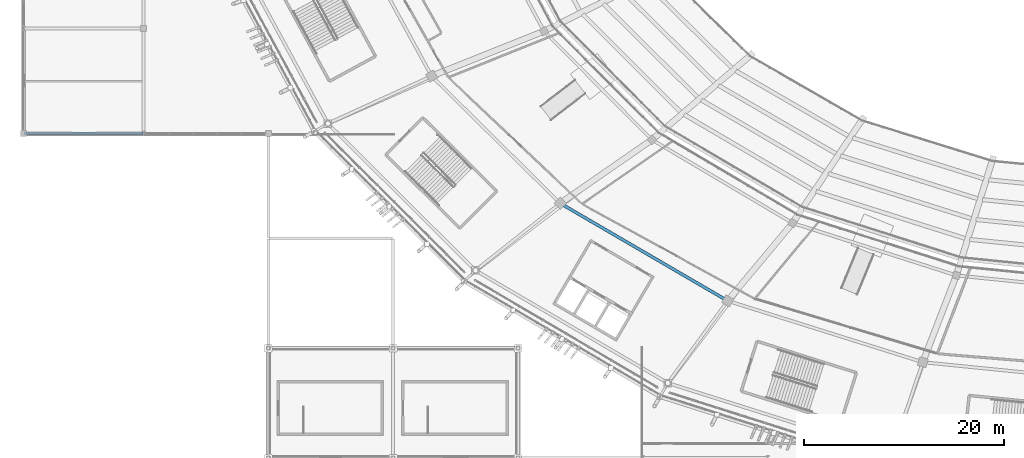
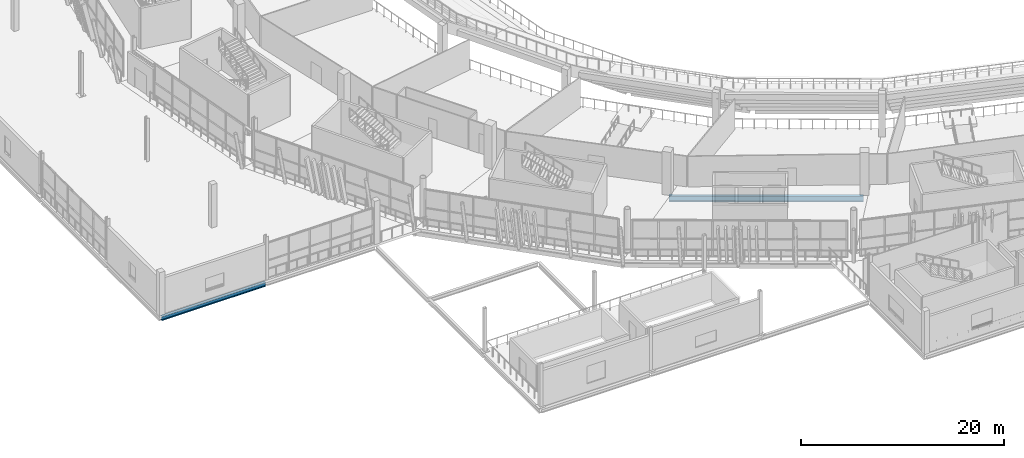
# One storey, part 26 of 178: 2 beams.
"""IFC4 building model written with IfcOpenShell, lengths in metres."""

from ifc_helpers import new_model, si_unit, direction, frame, origin, origin_2d, place, context, subcontext, project, spatial, i_section, extrude, material, material_profile, profile_set, type_object, element, save


model = new_model("IFC4")

# Units and contexts
model_context = context("Model", 3, precision=1e-05, world=origin(), true_north=direction((0.0, 1.0)))
body_context = subcontext(model_context, "Body", "Model", "MODEL_VIEW")
ifc_project = project(units=[si_unit("LENGTHUNIT", "METRE"), si_unit("AREAUNIT", "SQUARE_METRE"), si_unit("VOLUMEUNIT", "CUBIC_METRE"), si_unit("PLANEANGLEUNIT", "RADIAN"), si_unit("MASSUNIT", "GRAM", prefix="KILO")], contexts=[model_context])

# Site, building, storey
site_placement = place(None, origin())
site = spatial("IfcSite", under=ifc_project, at=site_placement, CompositionType="ELEMENT")
building_placement = place(site_placement, origin())
building = spatial("IfcBuilding", under=site, at=building_placement, Name="Zlatoyarsky Gate Stadium", CompositionType="ELEMENT")
storey_placement = place(building_placement, frame((0.0, 0.0, 5.39990234375)))
storey = spatial("IfcBuildingStorey", under=building, at=storey_placement, Name="L01", CompositionType="ELEMENT", Elevation=5.39990234375)

# Beams
ifc_material = material(Name="Steel S355", Category="steel")
ifc_material_profile_1 = material_profile(ifc_material, i_section(OverallWidth=0.300048828125, OverallDepth=0.5, WebThickness=0.014404296875, FlangeThickness=0.028076171875, FilletRadius=0.027099609375, at=origin_2d()), Name="HEB 500")
ifc_profile_set_1 = profile_set([ifc_material_profile_1], Name="Steel S355")
beam_type_1 = type_object("IfcBeamType", Name="STEEL PRIMARY GIRDER HEB 500", PredefinedType="BEAM", material=ifc_profile_set_1)
beam_1_placement = place(storey_placement, frame((0.080078125, 43.5, -0.5498046875), z_axis=(1.0, 0.0, 0.0), x_axis=(0.0, 1.0, 0.0)))
element("IfcBeam", 1, at=beam_1_placement, inside=storey, type_object=beam_type_1, Name="Beam G-HEB500 BM-L01-WGX-1-E", PredefinedType="BEAM", context=body_context, shape_type="SweptSolid", body=[
    extrude(i_section(OverallWidth=0.300048828125, OverallDepth=0.5, WebThickness=0.014404296875, FlangeThickness=0.028076171875, FilletRadius=0.027099609375, at=origin_2d()), origin(), (0.0, 0.0, 1.0), 11.83984375),
])
ifc_material_profile_2 = material_profile(ifc_material, i_section(OverallWidth=0.300048828125, OverallDepth=0.699951171875, WebThickness=0.01708984375, FlangeThickness=0.031982421875, FilletRadius=0.027099609375, at=origin_2d()), Name="HEB 700")
ifc_profile_set_2 = profile_set([ifc_material_profile_2], Name="Steel S355")
beam_type_2 = type_object("IfcBeamType", Name="STEEL PRIMARY GIRDER HEB 700", PredefinedType="BEAM", material=ifc_profile_set_2)
beam_2_placement = place(storey_placement, frame((53.828125, 36.452392578125, -0.64990234375), z_axis=(0.864054462945, -0.503398336375, 0.0), x_axis=(0.503398336375, 0.864054462945, 0.0)))
element("IfcBeam", 2, at=beam_2_placement, inside=storey, type_object=beam_type_2, Name="Beam G-HEB700 BM-L01-CRB-15", PredefinedType="BEAM", context=body_context, shape_type="SweptSolid", body=[
    extrude(i_section(OverallWidth=0.300048828125, OverallDepth=0.699951171875, WebThickness=0.01708984375, FlangeThickness=0.031982421875, FilletRadius=0.027099609375, at=origin_2d()), origin(), (0.0, 0.0, 1.0), 19.1748046875),
])

save(model, "model.ifc")
